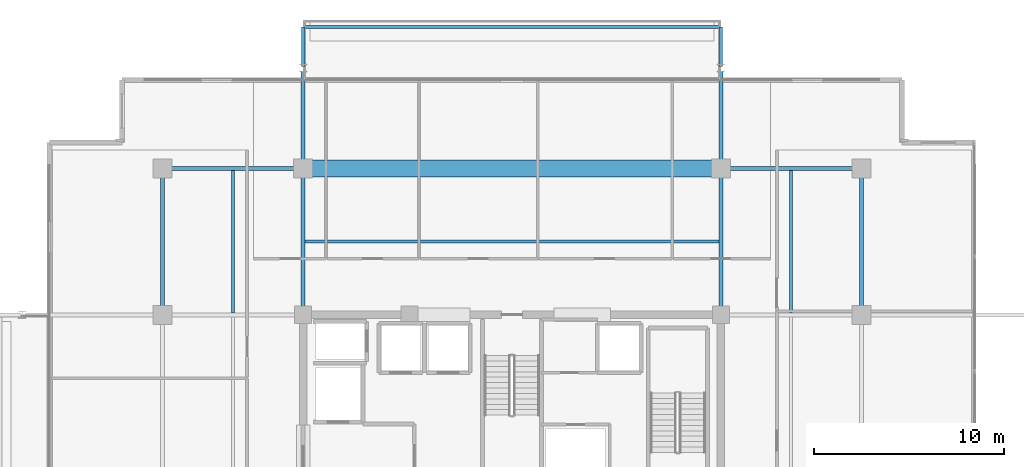
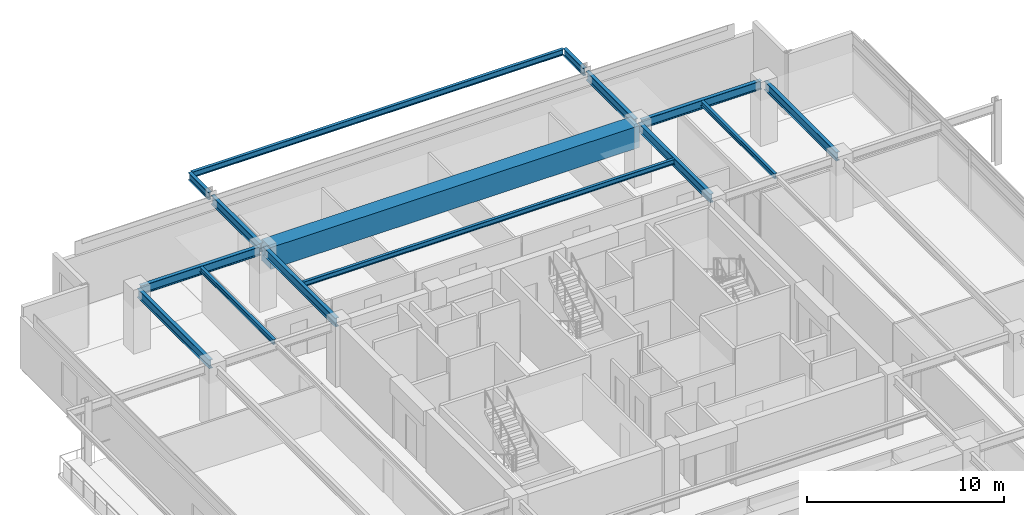
# One storey, part 10 of 20: 15 beams.
"""IFC4 building model written with IfcOpenShell, lengths in metres."""

import ifcopenshell
import ifcopenshell.guid

model = None  # the IFC model being written
_history = None  # IfcOwnerHistory: only IFC2X3 demands one
_inside = {}  # id of a spatial element -> (the spatial element, [elements in it])
_under = {}  # id of a project, library or spatial element -> (it, [spatial elements below it])
_declared = {}  # id of a project -> (the project, [libraries it declares])
_typed = {}  # id of a type object -> (the type object, [elements of that type])
_made_of = {}  # id of a material, layer set ... -> (it, [elements and type objects made of it])


def new_model(schema):
    """Start an empty IFC model of exactly this schema.

    Asked for "IFC4X3", IfcOpenShell would pick the latest addendum, in which some entities
    have other attributes; the version numbers below select the first issue.
    IFC2X3 requires an IfcOwnerHistory on every rooted entity: one is made here for all.
    """
    global model, _history
    if schema == "IFC4X3":
        model = ifcopenshell.file(schema_version=(4, 3, 0, 0))
    else:
        model = ifcopenshell.file(schema=schema)
    _inside.clear()
    _under.clear()
    _declared.clear()
    _typed.clear()
    _made_of.clear()
    _history = None
    if model.schema == "IFC2X3":
        org = make("IfcOrganization", Name="unknown")
        user = make(
            "IfcPersonAndOrganization",
            ThePerson=make("IfcPerson", FamilyName="unknown"),
            TheOrganization=org,
        )
        app = make(
            "IfcApplication",
            ApplicationDeveloper=org,
            Version="unknown",
            ApplicationFullName="unknown",
            ApplicationIdentifier="unknown",
        )
        _history = make(
            "IfcOwnerHistory",
            OwningUser=user,
            OwningApplication=app,
            ChangeAction="ADDED",
            CreationDate=0,
        )
    return model


def make(cls, **values):
    """One entity of the class cls with the attributes given. An attribute that is None is left unset."""
    return model.create_entity(
        cls, **{name: value for name, value in values.items() if value is not None}
    )


def rooted(cls, **values):
    """An entity with a GlobalId (a new one), such as an element, a storey or a relation."""
    return make(cls, GlobalId=ifcopenshell.guid.new(), OwnerHistory=_history, **values)


def si_unit(unit_type, name, prefix=None):
    """IfcSIUnit, for example si_unit("LENGTHUNIT", "METRE", prefix="MILLI")."""
    return make("IfcSIUnit", UnitType=unit_type, Prefix=prefix, Name=name)


def assignment(units):
    """IfcUnitAssignment: the units of a project."""
    return None if units is None else make("IfcUnitAssignment", Units=units)


def point(xyz):
    """IfcCartesianPoint."""
    return None if xyz is None else make("IfcCartesianPoint", Coordinates=xyz)


def direction(xyz):
    """IfcDirection."""
    return None if xyz is None else make("IfcDirection", DirectionRatios=xyz)


def frame(location, z_axis=None, x_axis=None):
    """IfcAxis2Placement3D, a coordinate frame: its origin and axes. An axis left out is left unset."""
    return make(
        "IfcAxis2Placement3D",
        Location=point(location),
        Axis=direction(z_axis),
        RefDirection=direction(x_axis),
    )


def frame_2d(location, x_axis=None):
    """IfcAxis2Placement2D, a coordinate frame in the plane: its origin and x axis."""
    return make(
        "IfcAxis2Placement2D", Location=point(location), RefDirection=direction(x_axis)
    )


def origin():
    """The frame at (0, 0, 0) with its axes left unset."""
    return frame((0.0, 0.0, 0.0))


def origin_2d():
    """The frame at (0, 0) in the plane with its x axis left unset."""
    return frame_2d((0.0, 0.0))


def place(relative_to, where):
    """IfcLocalPlacement: puts the frame where relative to a parent placement (None: the world)."""
    return make(
        "IfcLocalPlacement", PlacementRelTo=relative_to, RelativePlacement=where
    )


def context(
    kind, dimensions, precision=None, world=None, true_north=None, identifier=None
):
    """IfcGeometricRepresentationContext, for example the 3D "Model" context."""
    return make(
        "IfcGeometricRepresentationContext",
        ContextIdentifier=identifier,
        ContextType=kind,
        CoordinateSpaceDimension=dimensions,
        Precision=precision,
        WorldCoordinateSystem=world,
        TrueNorth=true_north,
    )


def subcontext(parent, identifier, kind, view, scale=None):
    """IfcGeometricRepresentationSubContext, for example "Body" below "Model"."""
    return make(
        "IfcGeometricRepresentationSubContext",
        ContextIdentifier=identifier,
        ContextType=kind,
        ParentContext=parent,
        TargetScale=scale,
        TargetView=view,
    )


def project(units=None, contexts=None):
    """IfcProject with its units and contexts."""
    return rooted(
        "IfcProject",
        Name="project",
        RepresentationContexts=contexts,
        UnitsInContext=assignment(units),
    )


def spatial(cls, under=None, at=None, **own):
    """A site, building, storey or space (cls), placed at a placement, below another one or the project."""
    s = rooted(cls, ObjectPlacement=at, **own)
    if under is not None:
        _under.setdefault(under.id(), (under, []))[1].append(s)
    return s


def profile(cls, at=None, kind="AREA", **sizes):
    """A parametric profile (cls). Its sizes go by their IFC names, for example OverallWidth=200.0."""
    return make(cls, ProfileType=kind, Position=at, **sizes)


def rectangle(**sizes):
    """IfcRectangleProfileDef."""
    return profile("IfcRectangleProfileDef", **sizes)


def i_section(**sizes):
    """IfcIShapeProfileDef."""
    return profile("IfcIShapeProfileDef", **sizes)


def extrude(swept, where, along, depth):
    """IfcExtrudedAreaSolid: the profile swept, set in the frame where, extruded along a direction by depth."""
    return make(
        "IfcExtrudedAreaSolid",
        SweptArea=swept,
        Position=where,
        ExtrudedDirection=direction(along),
        Depth=depth,
    )


def shape(context_of_items, identifier, shape_type, items):
    """IfcShapeRepresentation: the items that make up one representation, for example the "Body"."""
    return make(
        "IfcShapeRepresentation",
        ContextOfItems=context_of_items,
        RepresentationIdentifier=identifier,
        RepresentationType=shape_type,
        Items=items,
    )


def material(Name=None, Category=None):
    """IfcMaterial."""
    return make("IfcMaterial", Name=Name, Category=Category)


def material_profile(
    of_material, cross_section, Name=None, Category=None, Priority=None
):
    """IfcMaterialProfile: a cross section and its material."""
    return make(
        "IfcMaterialProfile",
        Name=Name,
        Material=of_material,
        Profile=cross_section,
        Priority=Priority,
        Category=Category,
    )


def profile_set(profiles, Name=None, composite=None):
    """IfcMaterialProfileSet."""
    return make(
        "IfcMaterialProfileSet",
        Name=Name,
        MaterialProfiles=profiles,
        CompositeProfile=composite,
    )


def made_of(thing, what):
    """Note that an element or type object is made of a material, layer set ...; save() writes the relation."""
    if what is not None:
        _made_of.setdefault(what.id(), (what, []))[1].append(thing)
    return thing


def type_object(cls, material=None, **own):
    """A type object (cls), such as IfcWallType, which elements share."""
    return made_of(rooted(cls, **own), material)


def element(
    cls,
    number,
    at=None,
    inside=None,
    cuts=None,
    type_object=None,
    material=None,
    context=None,
    identifier="Body",
    shape_type=None,
    held_by="IfcProductDefinitionShape",
    body=None,
    shapes=None,
    **own,
):
    """One element of the class cls, such as IfcWall. Its Tag is "e" and its number.

    at: its placement. inside: the storey or other place that contains it. cuts: it is an
    opening in that element (IfcRelVoidsElement). A single representation is given by context,
    identifier, shape_type and body (its items); several are given by shapes. held_by: the class
    of the entity that holds the representations. save() writes the other relations.
    """
    e = rooted(cls, Tag="e%d" % number, ObjectPlacement=at, **own)
    if body is not None:
        shapes = [shape(context, identifier, shape_type, body)]
    if shapes is not None:
        e.Representation = make(held_by, Representations=shapes)
    if inside is not None:
        _inside.setdefault(inside.id(), (inside, []))[1].append(e)
    if cuts is not None:
        rooted(
            "IfcRelVoidsElement", RelatingBuildingElement=cuts, RelatedOpeningElement=e
        )
    if type_object is not None:
        _typed.setdefault(type_object.id(), (type_object, []))[1].append(e)
    return made_of(e, material)


def aggregate(whole, parts):
    """IfcRelAggregates: a whole, such as a stair, and the parts it consists of."""
    return rooted("IfcRelAggregates", RelatingObject=whole, RelatedObjects=parts)


def save(model, path):
    """Write the relations noted so far, then the file.

    IfcRelAggregates (storeys below a building ...), IfcRelContainedInSpatialStructure (elements
    in a storey), IfcRelDefinesByType, IfcRelAssociatesMaterial and IfcRelDeclares: one each for
    every whole, place, type object, material and project.
    """
    for whole, parts in _under.values():
        aggregate(whole, parts)
    for where, things in _inside.values():
        rooted(
            "IfcRelContainedInSpatialStructure",
            RelatedElements=things,
            RelatingStructure=where,
        )
    for kind, things in _typed.values():
        rooted("IfcRelDefinesByType", RelatedObjects=things, RelatingType=kind)
    for what, things in _made_of.values():
        rooted("IfcRelAssociatesMaterial", RelatedObjects=things, RelatingMaterial=what)
    for by, libraries in _declared.values():
        rooted("IfcRelDeclares", RelatingContext=by, RelatedDefinitions=libraries)
    model.write(path)


model = new_model("IFC4")

# Units and contexts
model_context = context("Model", 3, precision=1e-05, world=origin(), true_north=direction((0.0, 1.0)))
body_context = subcontext(model_context, "Body", "Model", "MODEL_VIEW")
ifc_project = project(units=[si_unit("LENGTHUNIT", "METRE"), si_unit("AREAUNIT", "SQUARE_METRE"), si_unit("VOLUMEUNIT", "CUBIC_METRE"), si_unit("PLANEANGLEUNIT", "RADIAN"), si_unit("MASSUNIT", "GRAM", prefix="KILO")], contexts=[model_context])

# Site, building, storey
site_placement = place(None, origin())
site = spatial("IfcSite", under=ifc_project, at=site_placement, CompositionType="ELEMENT")
building_placement = place(site_placement, origin())
building = spatial("IfcBuilding", under=site, at=building_placement, Name="Kovane Verandah Tower", CompositionType="ELEMENT")
storey_placement = place(building_placement, frame((0.0, 0.0, 334.800048828125)))
storey = spatial("IfcBuildingStorey", under=building, at=storey_placement, Name="L78", CompositionType="ELEMENT", Elevation=334.800048828125)

# Beams
ifc_material_1 = material(Name="Concrete C80/95", Category="concrete")
ifc_material_profile_1 = material_profile(ifc_material_1, rectangle(XDim=0.89990234375, YDim=1.35009765625, at=origin_2d()), Name="RCB900x1350")
ifc_profile_set_1 = profile_set([ifc_material_profile_1], Name="Concrete C80/95")
beam_type_1 = type_object("IfcBeamType", Name="BM-TR-900x1350", PredefinedType="BEAM", material=ifc_profile_set_1)
beam_1_placement = place(storey_placement, frame((29.179931640625, 44.199951171875, 3.10986328125), z_axis=(1.0, 0.0, 0.0), x_axis=(0.0, 1.0, 0.0)))
element("IfcBeam", 1, at=beam_1_placement, inside=storey, type_object=beam_type_1, Name="L78 Primary Tower Girder G-RN2", PredefinedType="BEAM", context=body_context, shape_type="SweptSolid", body=[
    extrude(rectangle(XDim=0.89990234375, YDim=1.35009765625, at=origin_2d()), origin(), (0.0, 0.0, 1.0), 21.64013671875),
])
ifc_material_2 = material(Name="Steel S355", Category="steel")
ifc_material_profile_2 = material_profile(ifc_material_2, i_section(OverallWidth=0.2119140625, OverallDepth=0.54443359375, WebThickness=0.0126953125, FlangeThickness=0.021240234375, FilletRadius=0.0126953125, at=origin_2d()), Name="UB533x210x122")
ifc_profile_set_2 = profile_set([ifc_material_profile_2], Name="Steel S355")
beam_type_2 = type_object("IfcBeamType", Name="BM-UB533x122", PredefinedType="BEAM", material=ifc_profile_set_2)
for number, where, z_axis, x_axis, name in (
    (2, (21.780029296875, 44.199951171875, 3.5126953125), (1.0, 0.0, 0.0), (0.0, 1.0, 0.0), "L78 Primary Tower Girder G-RN1"),
    (3, (51.179931640625, 44.199951171875, 3.5126953125), (1.0, 0.0, 0.0), (0.0, 1.0, 0.0), "L78 Primary Tower Girder G-RN3"),
):
    element("IfcBeam", number, at=place(storey_placement, frame(where, z_axis=z_axis, x_axis=x_axis)), inside=storey, type_object=beam_type_2, Name=name, PredefinedType="BEAM", context=body_context, shape_type="SweptSolid", body=[
        extrude(i_section(OverallWidth=0.2119140625, OverallDepth=0.54443359375, WebThickness=0.0126953125, FlangeThickness=0.021240234375, FilletRadius=0.0126953125, at=origin_2d()), origin(), (0.0, 0.0, 1.0), 7.0400390625),
    ])
for number, where, z_axis, x_axis, name in (
    (4, (21.60009765625, 36.679931640625, 3.5126953125), (0.0, 1.0, 0.0), (-1.0, 0.0, 0.0), "L78 Primary Tower Girder G-RW3"),
    (5, (58.39990234375, 36.679931640625, 3.5126953125), (0.0, 1.0, 0.0), (-1.0, 0.0, 0.0), "L78 Primary Tower Girder G-RE3"),
    (6, (29.0, 36.679931640625, 3.5126953125), (0.0, 1.0, 0.0), (-1.0, 0.0, 0.0), "L78 Primary Tower Girder G-N1"),
    (7, (51.0, 36.679931640625, 3.5126953125), (0.0, 1.0, 0.0), (-1.0, 0.0, 0.0), "L78 Primary Tower Girder G-N2"),
):
    element("IfcBeam", number, at=place(storey_placement, frame(where, z_axis=z_axis, x_axis=x_axis)), inside=storey, type_object=beam_type_2, Name=name, PredefinedType="BEAM", context=body_context, shape_type="SweptSolid", body=[
        extrude(i_section(OverallWidth=0.2119140625, OverallDepth=0.54443359375, WebThickness=0.0126953125, FlangeThickness=0.021240234375, FilletRadius=0.0126953125, at=origin_2d()), origin(), (0.0, 0.0, 1.0), 7.340087890625),
    ])
for number, where, z_axis, x_axis, name in (
    (8, (29.0, 44.3798828125, 3.48779296875), (0.0, 1.0, 0.0), (-1.0, 0.0, 0.0), "L78 Primary Tower Girder G-VN1"),
    (9, (51.0, 44.3798828125, 3.48779296875), (0.0, 1.0, 0.0), (-1.0, 0.0, 0.0), "L78 Primary Tower Girder G-VN2"),
):
    element("IfcBeam", number, at=place(storey_placement, frame(where, z_axis=z_axis, x_axis=x_axis)), inside=storey, type_object=beam_type_2, Name=name, PredefinedType="BEAM", context=body_context, shape_type="SweptSolid", body=[
        extrude(i_section(OverallWidth=0.2119140625, OverallDepth=0.54443359375, WebThickness=0.0126953125, FlangeThickness=0.021240234375, FilletRadius=0.0126953125, at=origin_2d()), origin(), (0.0, 0.0, 1.0), 4.940185546875),
    ])
ifc_material_profile_3 = material_profile(ifc_material_2, i_section(OverallWidth=0.1669921875, OverallDepth=0.310302734375, WebThickness=0.0078125, FlangeThickness=0.013671875, FilletRadius=0.0087890625, at=origin_2d()), Name="UB305x165x54")
ifc_profile_set_3 = profile_set([ifc_material_profile_3], Name="Steel S355")
beam_type_3 = type_object("IfcBeamType", Name="JST-UB305x54", PredefinedType="JOIST", material=ifc_profile_set_3)
beam_2_placement = place(storey_placement, frame((29.10400390625, 40.35009765625, 3.629638671875), z_axis=(1.0, 0.0, 0.0), x_axis=(0.0, 1.0, 0.0)))
element("IfcBeam", 10, at=beam_2_placement, inside=storey, type_object=beam_type_3, Name="L78 Secondary Composite Joist J-N1", PredefinedType="JOIST", context=body_context, shape_type="SweptSolid", body=[
    extrude(i_section(OverallWidth=0.1669921875, OverallDepth=0.310302734375, WebThickness=0.0078125, FlangeThickness=0.013671875, FilletRadius=0.0087890625, at=origin_2d()), origin(), (0.0, 0.0, 1.0), 21.7919921875),
])
for number, where, z_axis, x_axis, name in (
    (11, (25.300048828125, 36.60400390625, 3.629638671875), (0.0, 1.0, 0.0), (-1.0, 0.0, 0.0), "L78 Secondary Composite Joist J-NW1"),
    (12, (54.699951171875, 36.60400390625, 3.629638671875), (0.0, 1.0, 0.0), (-1.0, 0.0, 0.0), "L78 Secondary Composite Joist J-NE1"),
):
    element("IfcBeam", number, at=place(storey_placement, frame(where, z_axis=z_axis, x_axis=x_axis)), inside=storey, type_object=beam_type_3, Name=name, PredefinedType="JOIST", context=body_context, shape_type="SweptSolid", body=[
        extrude(i_section(OverallWidth=0.1669921875, OverallDepth=0.310302734375, WebThickness=0.0078125, FlangeThickness=0.013671875, FilletRadius=0.0087890625, at=origin_2d()), origin(), (0.0, 0.0, 1.0), 7.491943359375),
    ])
ifc_material_profile_4 = material_profile(ifc_material_2, i_section(OverallWidth=0.19287109375, OverallDepth=0.46728515625, WebThickness=0.011474609375, FlangeThickness=0.01953125, FilletRadius=0.01025390625, at=origin_2d()), Name="UB457x191x98")
ifc_profile_set_4 = profile_set([ifc_material_profile_4], Name="Steel S355")
beam_type_4 = type_object("IfcBeamType", Name="JST-UB457x98", PredefinedType="JOIST", material=ifc_profile_set_4)
for number, where, z_axis, x_axis, name in (
    (13, (29.0, 49.580078125, 3.5263671875), (0.0, 1.0, 0.0), (-1.0, 0.0, 0.0), "L78 North Planter Girder 1"),
    (14, (51.0, 49.580078125, 3.5263671875), (0.0, 1.0, 0.0), (-1.0, 0.0, 0.0), "L78 North Planter Girder 2"),
):
    element("IfcBeam", number, at=place(storey_placement, frame(where, z_axis=z_axis, x_axis=x_axis)), inside=storey, type_object=beam_type_4, Name=name, PredefinedType="JOIST", context=body_context, shape_type="SweptSolid", body=[
        extrude(i_section(OverallWidth=0.19287109375, OverallDepth=0.46728515625, WebThickness=0.011474609375, FlangeThickness=0.01953125, FilletRadius=0.01025390625, at=origin_2d()), origin(), (0.0, 0.0, 1.0), 2.06982421875),
    ])
ifc_material_profile_5 = material_profile(ifc_material_2, i_section(OverallWidth=0.173095703125, OverallDepth=0.36328125, WebThickness=0.009033203125, FlangeThickness=0.015625, FilletRadius=0.01025390625, at=origin_2d()), Name="UB356x171x67")
ifc_profile_set_5 = profile_set([ifc_material_profile_5], Name="Steel S355")
beam_type_5 = type_object("IfcBeamType", Name="SPD-UB356x67", PredefinedType="USERDEFINED", material=ifc_profile_set_5)
beam_3_placement = place(storey_placement, frame((29.094482421875, 51.64990234375, 3.578369140625), z_axis=(1.0, 0.0, 0.0), x_axis=(0.0, 1.0, 0.0)))
element("IfcBeam", 15, at=beam_3_placement, inside=storey, type_object=beam_type_5, Name="L78 North Planter Edge Spandrel", ObjectType="SPANDREL", PredefinedType="USERDEFINED", context=body_context, shape_type="SweptSolid", body=[
    extrude(i_section(OverallWidth=0.173095703125, OverallDepth=0.36328125, WebThickness=0.009033203125, FlangeThickness=0.015625, FilletRadius=0.01025390625, at=origin_2d()), origin(), (0.0, 0.0, 1.0), 21.81103515625),
])

save(model, "model.ifc")
